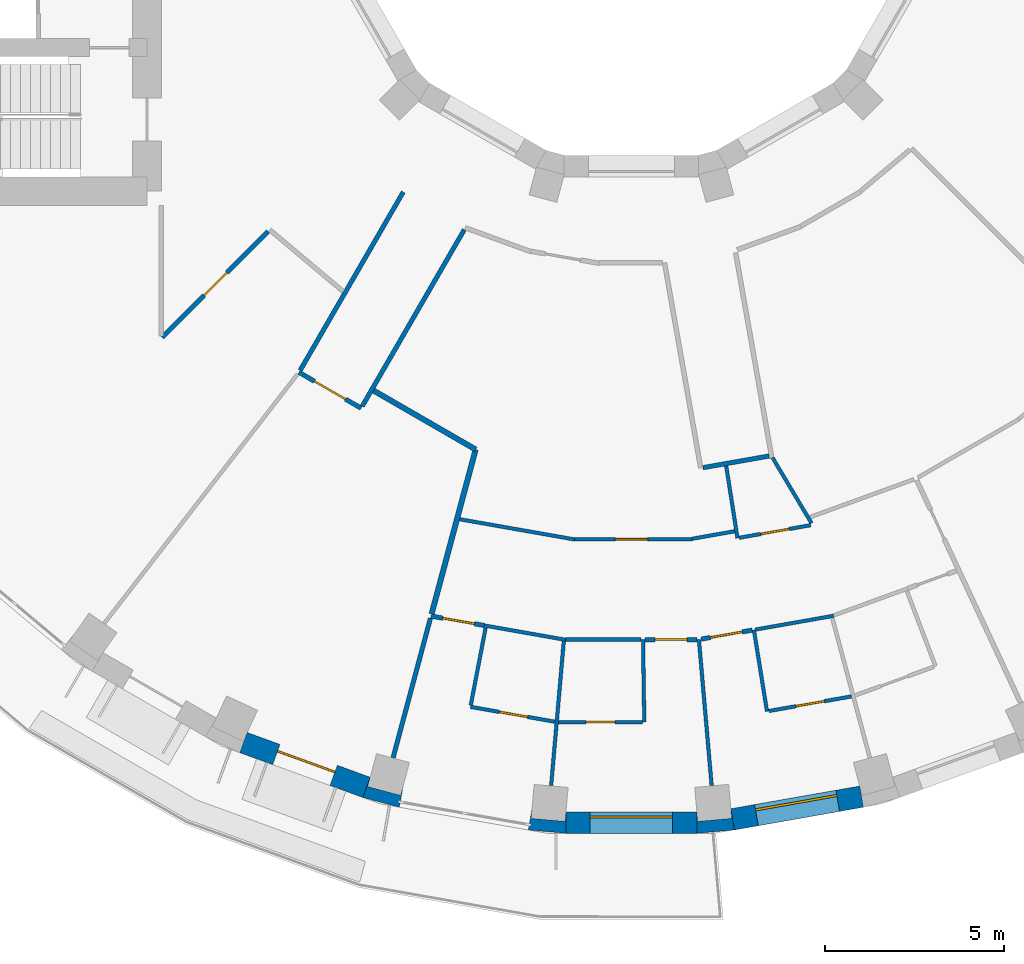
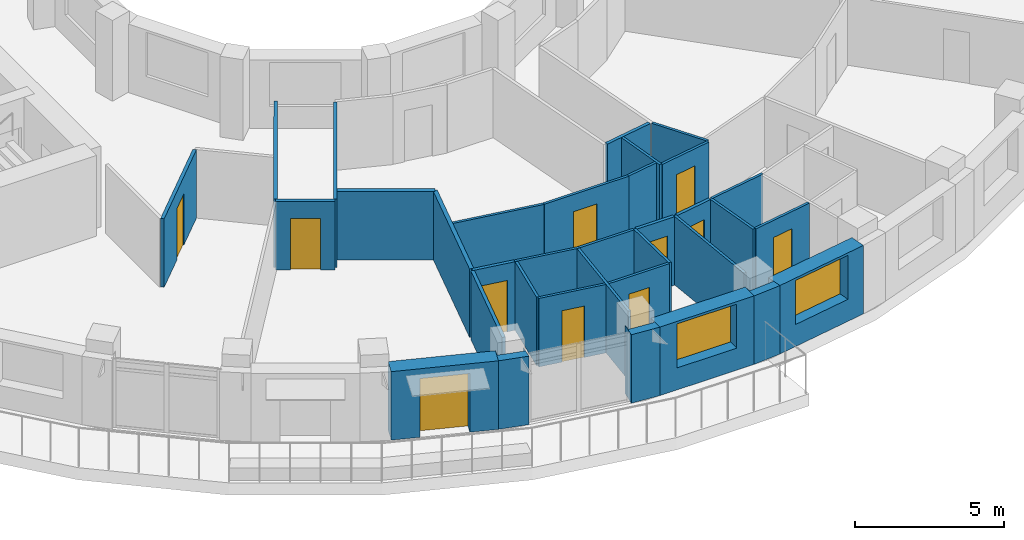
# One storey, part 4 of 14: 34 walls, 11 doors, 2 windows, 13 openings.
"""IFC4 building model written with IfcOpenShell, lengths in metres."""

from ifc_helpers import new_model, si_unit, direction, frame, frame_2d, origin, place, context, subcontext, project, spatial, polyline, rectangle, outline, extrude, material, layer, layer_set, type_object, element, fill, save


model = new_model("IFC4")

# Units and contexts
model_context = context("Model", 3, precision=1e-05, world=origin(), true_north=direction((0.0, 1.0)))
body_context = subcontext(model_context, "Body", "Model", "MODEL_VIEW")
ifc_project = project(units=[si_unit("LENGTHUNIT", "METRE"), si_unit("AREAUNIT", "SQUARE_METRE"), si_unit("VOLUMEUNIT", "CUBIC_METRE"), si_unit("PLANEANGLEUNIT", "RADIAN"), si_unit("MASSUNIT", "GRAM", prefix="KILO")], contexts=[model_context])

# Site, building, storey
site_placement = place(None, origin())
site = spatial("IfcSite", under=ifc_project, at=site_placement, CompositionType="ELEMENT")
building_placement = place(site_placement, origin())
building = spatial("IfcBuilding", under=site, at=building_placement, Name="Saqina Gate Tower", CompositionType="ELEMENT")
storey_placement = place(building_placement, frame((0.0, 0.0, 134.800048828125)))
storey = spatial("IfcBuildingStorey", under=building, at=storey_placement, Name="L38", CompositionType="ELEMENT", Elevation=134.800048828125)

# Walls
ifc_material_1 = material(Name="Brick masonry (buff)", Category="masonry")
wall_type_1 = type_object("IfcWallType", Name="BRICK PIER COPING BUFF", PredefinedType="SOLIDWALL", material=ifc_material_1)
wall_1_placement = place(storey_placement, origin())
element("IfcWall", 1, at=wall_1_placement, inside=storey, type_object=wall_type_1, Name="Pier cap L38 column 26", PredefinedType="SOLIDWALL", context=body_context, shape_type="SweptSolid", body=[
    extrude(outline(polyline([(-7.485595703125, -25.89892578125), (-6.466796875, -26.171875), (-6.36279296875, -25.5810546875), (-6.43212890625, -25.8408203125), (-7.349853515625, -25.5947265625), (-7.2802734375, -25.335205078125), (-7.485595703125, -25.89892578125)])), origin(), (0.0, 0.0, 1.0), 2.800048828125),
])
wall_2_placement = place(storey_placement, origin())
element("IfcWall", 2, at=wall_2_placement, inside=storey, type_object=wall_type_1, Name="Pier cap L38 column 27", PredefinedType="SOLIDWALL", context=body_context, shape_type="SweptSolid", body=[
    extrude(outline(polyline([(-2.87451171875, -26.805419921875), (-1.823974609375, -26.897216796875), (-1.823974609375, -26.29736328125), (-1.847412109375, -26.565185546875), (-2.793701171875, -26.482421875), (-2.770263671875, -26.214599609375), (-2.87451171875, -26.805419921875)])), origin(), (0.0, 0.0, 1.0), 2.800048828125),
])
wall_3_placement = place(storey_placement, origin())
element("IfcWall", 3, at=wall_3_placement, inside=storey, type_object=wall_type_1, Name="Pier cap L38 column 28", PredefinedType="SOLIDWALL", context=body_context, shape_type="SweptSolid", body=[
    extrude(outline(polyline([(2.87451171875, -26.805419921875), (2.770263671875, -26.214599609375), (2.793701171875, -26.482421875), (1.847412109375, -26.565185546875), (1.823974609375, -26.29736328125), (1.823974609375, -26.897216796875), (2.87451171875, -26.805419921875)])), origin(), (0.0, 0.0, 1.0), 2.800048828125),
])

# Wall, opening, door
ifc_material_2 = material(Name="Brick masonry (buff)", Category="masonry")
ifc_layer_1 = layer(ifc_material_2, 0.60009765625)
ifc_layer_set_1 = layer_set([ifc_layer_1], Name="FW-BRICK-BUFF")
wall_type_2 = type_object("IfcWallType", Name="FW-BRICK-BUFF", PredefinedType="SOLIDWALL", material=ifc_layer_set_1)
wall_4_placement = place(storey_placement, frame((-10.810791015625, -24.369384765625, 0.0), z_axis=(0.0, 0.0, 1.0), x_axis=(0.939703505393, -0.341990236633, 0.0)))
wall_4 = element("IfcWall", 4, at=wall_4_placement, inside=storey, type_object=wall_type_2, Name="Facade wall L38 facet 25", PredefinedType="SOLIDWALL", context=body_context, shape_type="SweptSolid", body=[
    extrude(rectangle(XDim=3.64794921875, YDim=0.60009765625, at=frame_2d((1.823974609375, 0.0))), origin(), (0.0, 0.0, 1.0), 2.800048828125),
])
opening_1_placement = place(wall_4_placement, frame((0.973876953125, 0.0, 0.0)))
opening_1 = element("IfcOpeningElement", 5, at=opening_1_placement, cuts=wall_4, Name="Opening G11-D81", PredefinedType="OPENING", context=body_context, shape_type="SweptSolid", body=[
    extrude(rectangle(XDim=1.699951171875, YDim=2.39990234375, at=frame_2d((0.85009765625, 1.199951171875))), frame((0.0, 0.31201171875, 0.0), z_axis=(0.0, -1.0, 0.0), x_axis=(1.0, 0.0, 0.0)), (0.0, 0.0, 1.0), 0.6240234375),
])
ifc_material_3 = material(Name="Aluminium glazing", Category="aluminium")
door_type_1 = type_object("IfcDoorType", Name="GD-B", OperationType="DOUBLE_DOOR_SINGLE_SWING", PredefinedType="DOOR", material=ifc_material_3)
door_1_placement = place(opening_1_placement, origin())
door_1 = element("IfcDoor", 6, at=door_1_placement, inside=storey, type_object=door_type_1, Name="Terrace door L38 facet 25", OperationType="DOUBLE_DOOR_SINGLE_SWING", OverallHeight=2.39990234375, OverallWidth=1.699951171875, PredefinedType="DOOR", context=body_context, shape_type="SweptSolid", body=[
    extrude(rectangle(XDim=1.699951171875, YDim=2.39990234375, at=frame_2d((0.85009765625, 1.199951171875))), frame((0.0, 0.125, 0.0), z_axis=(0.0, -1.0, 0.0), x_axis=(1.0, 0.0, 0.0)), (0.0, 0.0, 1.0), 0.050048828125),
])
fill(opening_1, door_1)

# Wall, opening, window
wall_5_placement = place(storey_placement, frame((-1.823974609375, -26.59716796875, 0.0), z_axis=(0.0, 0.0, 1.0), x_axis=(1.0, 0.0, 0.0)))
wall_5 = element("IfcWall", 7, at=wall_5_placement, inside=storey, type_object=wall_type_2, Name="Facade wall L38 facet 27", PredefinedType="SOLIDWALL", context=body_context, shape_type="SweptSolid", body=[
    extrude(rectangle(XDim=3.64794921875, YDim=0.60009765625, at=frame_2d((1.823974609375, 0.0))), origin(), (0.0, 0.0, 1.0), 2.800048828125),
])
opening_2_placement = place(wall_5_placement, frame((0.673828125, 0.0, 0.89990234375)))
opening_2 = element("IfcOpeningElement", 8, at=opening_2_placement, cuts=wall_5, Name="Opening G11-W16", PredefinedType="OPENING", context=body_context, shape_type="SweptSolid", body=[
    extrude(rectangle(XDim=2.300048828125, YDim=1.800048828125, at=frame_2d((1.14990234375, 0.89990234375))), frame((0.0, 0.31201171875, 0.0), z_axis=(0.0, -1.0, 0.0), x_axis=(1.0, 0.0, 0.0)), (0.0, 0.0, 1.0), 0.6240234375),
])
ifc_material_4 = material(Name="Aluminium glazing", Category="aluminium")
window_type = type_object("IfcWindowType", Name="WN-B", PartitioningType="SINGLE_PANEL", PredefinedType="WINDOW", material=ifc_material_4)
window_1_placement = place(opening_2_placement, origin())
window_1 = element("IfcWindow", 9, at=window_1_placement, inside=storey, type_object=window_type, Name="Window L38 facet 27", OverallHeight=1.800048828125, OverallWidth=2.300048828125, PartitioningType="SINGLE_PANEL", PredefinedType="WINDOW", context=body_context, shape_type="SweptSolid", body=[
    extrude(rectangle(XDim=2.300048828125, YDim=1.800048828125, at=frame_2d((1.14990234375, 0.89990234375))), frame((0.0, 0.179931640625, 0.0), z_axis=(0.0, -1.0, 0.0), x_axis=(1.0, 0.0, 0.0)), (0.0, 0.0, 1.0), 0.06005859375),
])
fill(opening_2, window_1)

wall_6_placement = place(storey_placement, frame((2.822265625, -26.510009765625, 0.0), z_axis=(0.0, 0.0, 1.0), x_axis=(0.984803764455, 0.173670796382, 0.0)))
wall_6 = element("IfcWall", 10, at=wall_6_placement, inside=storey, type_object=wall_type_2, Name="Facade wall L38 facet 28", PredefinedType="SOLIDWALL", context=body_context, shape_type="SweptSolid", body=[
    extrude(rectangle(XDim=3.64794921875, YDim=0.60009765625, at=frame_2d((1.823974609375, 0.0))), origin(), (0.0, 0.0, 1.0), 2.800048828125),
])
opening_3_placement = place(wall_6_placement, frame((0.673828125, 0.0, 0.89990234375)))
opening_3 = element("IfcOpeningElement", 11, at=opening_3_placement, cuts=wall_6, Name="Opening G11-W17", PredefinedType="OPENING", context=body_context, shape_type="SweptSolid", body=[
    extrude(rectangle(XDim=2.300048828125, YDim=1.800048828125, at=frame_2d((1.14990234375, 0.89990234375))), frame((0.0, 0.31201171875, 0.0), z_axis=(0.0, -1.0, 0.0), x_axis=(1.0, 0.0, 0.0)), (0.0, 0.0, 1.0), 0.6240234375),
])
window_2_placement = place(opening_3_placement, origin())
window_2 = element("IfcWindow", 12, at=window_2_placement, inside=storey, type_object=window_type, Name="Window L38 facet 28", OverallHeight=1.800048828125, OverallWidth=2.300048828125, PartitioningType="SINGLE_PANEL", PredefinedType="WINDOW", context=body_context, shape_type="SweptSolid", body=[
    extrude(rectangle(XDim=2.300048828125, YDim=1.800048828125, at=frame_2d((1.14990234375, 0.89990234375))), frame((0.0, 0.179931640625, 0.0), z_axis=(0.0, -1.0, 0.0), x_axis=(1.0, 0.0, 0.0)), (0.0, 0.0, 1.0), 0.06005859375),
])
fill(opening_3, window_2)

# Walls
ifc_material_5 = material(Name="Gypsum board on steel studs, 100 mm", Category="steel")
ifc_layer_2 = layer(ifc_material_5, 0.10009765625)
ifc_layer_set_2 = layer_set([ifc_layer_2], Name="PARTITION 100")
wall_type_3 = type_object("IfcWallType", Name="PARTITION 100", PredefinedType="PARTITIONING", material=ifc_layer_set_2)
wall_7_placement = place(storey_placement, frame((0.323974609375, -21.4970703125, 0.0), z_axis=(0.0, 0.0, 1.0), x_axis=(0.015177107463, -0.999884821071, 0.0)))
element("IfcWall", 13, at=wall_7_placement, inside=storey, type_object=wall_type_3, Name="PARTITION PW3-01", PredefinedType="PARTITIONING", context=body_context, shape_type="SweptSolid", body=[
    extrude(rectangle(XDim=2.30029296875, YDim=0.10009765625, at=frame_2d((1.150146484375, 0.0))), origin(), (0.0, 0.0, 1.0), 2.800048828125),
])
wall_8_placement = place(storey_placement, frame((1.881103515625, -21.4970703125, 0.0), z_axis=(0.0, 0.0, 1.0), x_axis=(0.087060211484, -0.996203051379, 0.0)))
element("IfcWall", 14, at=wall_8_placement, inside=storey, type_object=wall_type_3, Name="PARTITION PW3-03", PredefinedType="PARTITIONING", context=body_context, shape_type="SweptSolid", body=[
    extrude(rectangle(XDim=4.0859375, YDim=0.10009765625, at=frame_2d((2.04296875, 0.0))), origin(), (0.0, 0.0, 1.0), 2.800048828125),
])
wall_9_placement = place(storey_placement, frame((2.641845703125, -16.656494140625, 0.0), z_axis=(0.0, 0.0, 1.0), x_axis=(0.154658266248, -0.987968026143, 0.0)))
element("IfcWall", 15, at=wall_9_placement, inside=storey, type_object=wall_type_3, Name="PARTITION PW3-04", PredefinedType="PARTITIONING", context=body_context, shape_type="SweptSolid", body=[
    extrude(rectangle(XDim=2.037841796875, YDim=0.10009765625, at=frame_2d((1.01904296875, 0.0))), origin(), (0.0, 0.0, 1.0), 2.800048828125),
])
wall_10_placement = place(storey_placement, frame((3.4140625, -21.22705078125, 0.0), z_axis=(0.0, 0.0, 1.0), x_axis=(0.15868179071, -0.987329777378, 0.0)))
element("IfcWall", 16, at=wall_10_placement, inside=storey, type_object=wall_type_3, Name="PARTITION PW3-05", PredefinedType="PARTITIONING", context=body_context, shape_type="SweptSolid", body=[
    extrude(rectangle(XDim=2.300048828125, YDim=0.10009765625, at=frame_2d((1.14990234375, 0.0))), origin(), (0.0, 0.0, 1.0), 2.800048828125),
])
wall_11_placement = place(storey_placement, frame((3.931884765625, -16.42578125, 0.0), z_axis=(0.0, 0.0, 1.0), x_axis=(0.511292595627, -0.859406703288, 0.0)))
element("IfcWall", 17, at=wall_11_placement, inside=storey, type_object=wall_type_3, Name="PARTITION PW3-16", PredefinedType="PARTITIONING", context=body_context, shape_type="SweptSolid", body=[
    extrude(rectangle(XDim=2.132080078125, YDim=0.10009765625, at=frame_2d((1.06591796875, 0.0))), origin(), (0.0, 0.0, 1.0), 2.800048828125),
])

# Wall, opening, door
wall_12_placement = place(storey_placement, frame((-4.486083984375, -23.373046875, 0.0), z_axis=(0.0, 0.0, 1.0), x_axis=(0.984802055472, -0.173680486922, 0.0)))
wall_12 = element("IfcWall", 18, at=wall_12_placement, inside=storey, type_object=wall_type_3, Name="PARTITION PW3-32", PredefinedType="PARTITIONING", context=body_context, shape_type="SweptSolid", body=[
    extrude(rectangle(XDim=2.39111328125, YDim=0.10009765625, at=frame_2d((1.195556640625, 0.0))), origin(), (0.0, 0.0, 1.0), 2.800048828125),
])
opening_4_placement = place(wall_12_placement, frame((0.820556640625, 0.0, 0.0)))
opening_4 = element("IfcOpeningElement", 19, at=opening_4_placement, cuts=wall_12, Name="Opening G11-D31", PredefinedType="OPENING", context=body_context, shape_type="SweptSolid", body=[
    extrude(rectangle(XDim=0.800048828125, YDim=2.10009765625, at=frame_2d((0.39990234375, 1.050048828125))), frame((0.0, 0.06201171875, 0.0), z_axis=(0.0, -1.0, 0.0), x_axis=(1.0, 0.0, 0.0)), (0.0, 0.0, 1.0), 0.1240234375),
])
ifc_material_6 = material(Name="Timber door leaf, 800 mm", Category="wood")
door_type_2 = type_object("IfcDoorType", Name="DOOR 800 TIMBER", OperationType="SINGLE_SWING_LEFT", PredefinedType="DOOR", material=ifc_material_6)
door_2_placement = place(opening_4_placement, frame((0.800048828125, 0.0, 0.0), z_axis=(0.0, 0.0, 1.0), x_axis=(-1.0, 0.0, 0.0)))
door_2 = element("IfcDoor", 20, at=door_2_placement, inside=storey, type_object=door_type_2, Name="DOOR G11-D31", OperationType="SINGLE_SWING_LEFT", OverallHeight=2.10009765625, OverallWidth=0.800048828125, PredefinedType="DOOR", context=body_context, shape_type="SweptSolid", body=[
    extrude(rectangle(XDim=0.800048828125, YDim=2.10009765625, at=frame_2d((0.39990234375, 1.050048828125))), frame((0.0, 0.02490234375, 0.0), z_axis=(0.0, -1.0, 0.0), x_axis=(1.0, 0.0, 0.0)), (0.0, 0.0, 1.0), 0.050048828125),
])
fill(opening_4, door_2)

# Walls
wall_13_placement = place(storey_placement, frame((-4.101318359375, -21.105224609375, 0.0), z_axis=(0.0, 0.0, 1.0), x_axis=(0.984783558818, -0.173785333909, 0.0)))
element("IfcWall", 21, at=wall_13_placement, inside=storey, type_object=wall_type_3, Name="PARTITION PW3-33", PredefinedType="PARTITIONING", context=body_context, shape_type="SweptSolid", body=[
    extrude(rectangle(XDim=2.305419921875, YDim=0.10009765625, at=frame_2d((1.15283203125, 0.0))), origin(), (0.0, 0.0, 1.0), 2.800048828125),
])
wall_14_placement = place(storey_placement, frame((-4.7841796875, -18.14404296875, 0.0), z_axis=(0.0, 0.0, 1.0), x_axis=(0.98481910853, -0.173583765007, 0.0)))
element("IfcWall", 22, at=wall_14_placement, inside=storey, type_object=wall_type_3, Name="PARTITION PW3-34", PredefinedType="PARTITIONING", context=body_context, shape_type="SweptSolid", body=[
    extrude(rectangle(XDim=3.24755859375, YDim=0.10009765625, at=frame_2d((1.623779296875, 0.0))), origin(), (0.0, 0.0, 1.0), 2.800048828125),
])

# Wall, opening, door
wall_15_placement = place(storey_placement, frame((-2.031982421875, -23.797119140625, 0.0), z_axis=(0.0, 0.0, 1.0), x_axis=(1.0, 0.0, 0.0)))
wall_15 = element("IfcWall", 23, at=wall_15_placement, inside=storey, type_object=wall_type_3, Name="PARTITION PW3-38", PredefinedType="PARTITIONING", context=body_context, shape_type="SweptSolid", body=[
    extrude(rectangle(XDim=2.341064453125, YDim=0.10009765625, at=frame_2d((1.17041015625, 0.0))), origin(), (0.0, 0.0, 1.0), 2.800048828125),
])
opening_5_placement = place(wall_15_placement, frame((0.7705078125, 0.0, 0.0)))
opening_5 = element("IfcOpeningElement", 24, at=opening_5_placement, cuts=wall_15, Name="Opening G11-D32", PredefinedType="OPENING", context=body_context, shape_type="SweptSolid", body=[
    extrude(rectangle(XDim=0.800048828125, YDim=2.10009765625, at=frame_2d((0.39990234375, 1.050048828125))), frame((0.0, 0.06201171875, 0.0), z_axis=(0.0, -1.0, 0.0), x_axis=(1.0, 0.0, 0.0)), (0.0, 0.0, 1.0), 0.1240234375),
])
door_3_placement = place(opening_5_placement, frame((0.800048828125, 0.0, 0.0), z_axis=(0.0, 0.0, 1.0), x_axis=(-1.0, 0.0, 0.0)))
door_3 = element("IfcDoor", 25, at=door_3_placement, inside=storey, type_object=door_type_2, Name="DOOR G11-D32", OperationType="SINGLE_SWING_RIGHT", OverallHeight=2.10009765625, OverallWidth=0.800048828125, PredefinedType="DOOR", context=body_context, shape_type="SweptSolid", body=[
    extrude(rectangle(XDim=0.800048828125, YDim=2.10009765625, at=frame_2d((0.39990234375, 1.050048828125))), frame((0.0, 0.02490234375, 0.0), z_axis=(0.0, -1.0, 0.0), x_axis=(1.0, 0.0, 0.0)), (0.0, 0.0, 1.0), 0.050048828125),
])
fill(opening_5, door_3)

# Wall
wall_16_placement = place(storey_placement, frame((-1.8310546875, -21.4970703125, 0.0), z_axis=(0.0, 0.0, 1.0), x_axis=(1.0, 0.0, 0.0)))
element("IfcWall", 26, at=wall_16_placement, inside=storey, type_object=wall_type_3, Name="PARTITION PW3-39", PredefinedType="PARTITIONING", context=body_context, shape_type="SweptSolid", body=[
    extrude(rectangle(XDim=2.10498046875, YDim=0.10009765625, at=frame_2d((1.052490234375, 0.0))), origin(), (0.0, 0.0, 1.0), 2.800048828125),
])

# Wall, opening, door
wall_17_placement = place(storey_placement, frame((-1.5859375, -18.698974609375, 0.0), z_axis=(0.0, 0.0, 1.0), x_axis=(1.0, 0.0, 0.0)))
wall_17 = element("IfcWall", 27, at=wall_17_placement, inside=storey, type_object=wall_type_3, Name="PARTITION PW3-40", PredefinedType="PARTITIONING", context=body_context, shape_type="SweptSolid", body=[
    extrude(rectangle(XDim=3.272705078125, YDim=0.10009765625, at=frame_2d((1.63623046875, 0.0))), origin(), (0.0, 0.0, 1.0), 2.800048828125),
])
opening_6_placement = place(wall_17_placement, frame((1.135986328125, 0.0, 0.0)))
opening_6 = element("IfcOpeningElement", 28, at=opening_6_placement, cuts=wall_17, Name="Opening G11-D33", PredefinedType="OPENING", context=body_context, shape_type="SweptSolid", body=[
    extrude(rectangle(XDim=0.89990234375, YDim=2.10009765625, at=frame_2d((0.449951171875, 1.050048828125))), frame((0.0, 0.06201171875, 0.0), z_axis=(0.0, -1.0, 0.0), x_axis=(1.0, 0.0, 0.0)), (0.0, 0.0, 1.0), 0.1240234375),
])
ifc_material_7 = material(Name="Timber door leaf, 900 mm", Category="wood")
door_type_3 = type_object("IfcDoorType", Name="DOOR 900 TIMBER", OperationType="SINGLE_SWING_LEFT", PredefinedType="DOOR", material=ifc_material_7)
door_4_placement = place(opening_6_placement, origin())
door_4 = element("IfcDoor", 29, at=door_4_placement, inside=storey, type_object=door_type_3, Name="DOOR G11-D33", OperationType="SINGLE_SWING_LEFT", OverallHeight=2.10009765625, OverallWidth=0.89990234375, PredefinedType="DOOR", context=body_context, shape_type="SweptSolid", body=[
    extrude(rectangle(XDim=0.89990234375, YDim=2.10009765625, at=frame_2d((0.449951171875, 1.050048828125))), frame((0.0, 0.02490234375, 0.0), z_axis=(0.0, -1.0, 0.0), x_axis=(1.0, 0.0, 0.0)), (0.0, 0.0, 1.0), 0.050048828125),
])
fill(opening_6, door_4)

wall_18_placement = place(storey_placement, frame((3.828125, -23.4892578125, 0.0), z_axis=(0.0, 0.0, 1.0), x_axis=(0.984811890041, 0.173624713778, 0.0)))
wall_18 = element("IfcWall", 30, at=wall_18_placement, inside=storey, type_object=wall_type_3, Name="PARTITION PW3-44", PredefinedType="PARTITIONING", context=body_context, shape_type="SweptSolid", body=[
    extrude(rectangle(XDim=2.34130859375, YDim=0.10009765625, at=frame_2d((1.170654296875, 0.0))), origin(), (0.0, 0.0, 1.0), 2.800048828125),
])
opening_7_placement = place(wall_18_placement, frame((0.7705078125, 0.0, 0.0)))
opening_7 = element("IfcOpeningElement", 31, at=opening_7_placement, cuts=wall_18, Name="Opening G11-D36", PredefinedType="OPENING", context=body_context, shape_type="SweptSolid", body=[
    extrude(rectangle(XDim=0.800048828125, YDim=2.10009765625, at=frame_2d((0.39990234375, 1.050048828125))), frame((0.0, 0.06201171875, 0.0), z_axis=(0.0, -1.0, 0.0), x_axis=(1.0, 0.0, 0.0)), (0.0, 0.0, 1.0), 0.1240234375),
])
door_5_placement = place(opening_7_placement, frame((0.800048828125, 0.0, 0.0), z_axis=(0.0, 0.0, 1.0), x_axis=(-1.0, 0.0, 0.0)))
door_5 = element("IfcDoor", 32, at=door_5_placement, inside=storey, type_object=door_type_2, Name="DOOR G11-D36", OperationType="SINGLE_SWING_LEFT", OverallHeight=2.10009765625, OverallWidth=0.800048828125, PredefinedType="DOOR", context=body_context, shape_type="SweptSolid", body=[
    extrude(rectangle(XDim=0.800048828125, YDim=2.10009765625, at=frame_2d((0.39990234375, 1.050048828125))), frame((0.0, 0.02490234375, 0.0), z_axis=(0.0, -1.0, 0.0), x_axis=(1.0, 0.0, 0.0)), (0.0, 0.0, 1.0), 0.050048828125),
])
fill(opening_7, door_5)

# Wall
wall_19_placement = place(storey_placement, frame((3.4462890625, -21.221435546875, 0.0), z_axis=(0.0, 0.0, 1.0), x_axis=(0.984789083278, 0.173754025728, 0.0)))
element("IfcWall", 33, at=wall_19_placement, inside=storey, type_object=wall_type_3, Name="PARTITION PW3-45", PredefinedType="PARTITIONING", context=body_context, shape_type="SweptSolid", body=[
    extrude(rectangle(XDim=2.224365234375, YDim=0.10009765625, at=frame_2d((1.1123046875, 0.0))), origin(), (0.0, 0.0, 1.0), 2.800048828125),
])

# Wall, opening, door
wall_20_placement = place(storey_placement, frame((3.00732421875, -18.6611328125, 0.0), z_axis=(0.0, 0.0, 1.0), x_axis=(0.984806648716, 0.173654440325, 0.0)))
wall_20 = element("IfcWall", 34, at=wall_20_placement, inside=storey, type_object=wall_type_3, Name="PARTITION PW3-46", PredefinedType="PARTITIONING", context=body_context, shape_type="SweptSolid", body=[
    extrude(rectangle(XDim=2.021728515625, YDim=0.10009765625, at=frame_2d((1.0107421875, 0.0))), origin(), (0.0, 0.0, 1.0), 2.800048828125),
])
opening_8_placement = place(wall_20_placement, frame((0.611572265625, 0.0, 0.0)))
opening_8 = element("IfcOpeningElement", 35, at=opening_8_placement, cuts=wall_20, Name="Opening G11-D37", PredefinedType="OPENING", context=body_context, shape_type="SweptSolid", body=[
    extrude(rectangle(XDim=0.800048828125, YDim=2.10009765625, at=frame_2d((0.39990234375, 1.050048828125))), frame((0.0, 0.06201171875, 0.0), z_axis=(0.0, -1.0, 0.0), x_axis=(1.0, 0.0, 0.0)), (0.0, 0.0, 1.0), 0.1240234375),
])
door_6_placement = place(opening_8_placement, frame((0.800048828125, 0.0, 0.0), z_axis=(0.0, 0.0, 1.0), x_axis=(-1.0, 0.0, 0.0)))
door_6 = element("IfcDoor", 36, at=door_6_placement, inside=storey, type_object=door_type_2, Name="DOOR G11-D37", OperationType="SINGLE_SWING_LEFT", OverallHeight=2.10009765625, OverallWidth=0.800048828125, PredefinedType="DOOR", context=body_context, shape_type="SweptSolid", body=[
    extrude(rectangle(XDim=0.800048828125, YDim=2.10009765625, at=frame_2d((0.39990234375, 1.050048828125))), frame((0.0, 0.02490234375, 0.0), z_axis=(0.0, -1.0, 0.0), x_axis=(1.0, 0.0, 0.0)), (0.0, 0.0, 1.0), 0.050048828125),
])
fill(opening_8, door_6)

# Walls
wall_21_placement = place(storey_placement, frame((1.685302734375, -18.690185546875, 0.0), z_axis=(0.0, 0.0, 1.0), x_axis=(0.984742886049, 0.17401565555, 0.0)))
element("IfcWall", 37, at=wall_21_placement, inside=storey, type_object=wall_type_3, Name="PARTITION PW3-47", PredefinedType="PARTITIONING", context=body_context, shape_type="SweptSolid", body=[
    extrude(rectangle(XDim=1.20947265625, YDim=0.10009765625, at=frame_2d((0.604736328125, 0.0))), origin(), (0.0, 0.0, 1.0), 2.800048828125),
])
wall_22_placement = place(storey_placement, frame((-4.4765625, -23.323974609375, 0.0), z_axis=(0.0, 0.0, 1.0), x_axis=(0.188685986474, 0.982037473067, 0.0)))
element("IfcWall", 38, at=wall_22_placement, inside=storey, type_object=wall_type_3, Name="PARTITION PW3-82", PredefinedType="PARTITIONING", context=body_context, shape_type="SweptSolid", body=[
    extrude(rectangle(XDim=2.18798828125, YDim=0.10009765625, at=frame_2d((1.093994140625, 0.0))), origin(), (0.0, 0.0, 1.0), 2.800048828125),
])
wall_23_placement = place(storey_placement, frame((-2.23681640625, -25.5673828125, 0.0), z_axis=(0.0, 0.0, 1.0), x_axis=(0.087169951933, 0.996193454847, 0.0)))
element("IfcWall", 39, at=wall_23_placement, inside=storey, type_object=wall_type_3, Name="PARTITION PW3-84", PredefinedType="PARTITIONING", context=body_context, shape_type="SweptSolid", body=[
    extrude(rectangle(XDim=4.035888671875, YDim=0.10009765625, at=frame_2d((2.01806640625, 0.0))), origin(), (0.0, 0.0, 1.0), 2.800048828125),
])

# Wall, opening, door
ifc_material_8 = material(Name="Gypsum board on steel studs, 125 mm, fire rated", Category="steel")
ifc_layer_3 = layer(ifc_material_8, 0.125)
ifc_layer_set_3 = layer_set([ifc_layer_3], Name="PARTITION EI 30 125")
wall_type_4 = type_object("IfcWallType", Name="PARTITION EI 30 125", PredefinedType="PARTITIONING", material=ifc_layer_set_3)
wall_24_placement = place(storey_placement, frame((-9.26416015625, -14.050048828125, 0.0), z_axis=(0.0, 0.0, 1.0), x_axis=(0.866008543052, -0.500029202507, 0.0)))
wall_24 = element("IfcWall", 40, at=wall_24_placement, inside=storey, type_object=wall_type_4, Name="PARTITION PW1-10", PredefinedType="PARTITIONING", context=body_context, shape_type="SweptSolid", body=[
    extrude(rectangle(XDim=1.998046875, YDim=0.125, at=frame_2d((0.9990234375, 0.0))), origin(), (0.0, 0.0, 1.0), 2.800048828125),
])
opening_9_placement = place(wall_24_placement, frame((0.497802734375, 0.0, 0.0)))
opening_9 = element("IfcOpeningElement", 41, at=opening_9_placement, cuts=wall_24, Name="Opening G11-D28", PredefinedType="OPENING", context=body_context, shape_type="SweptSolid", body=[
    extrude(rectangle(XDim=1.0, YDim=2.10009765625, at=frame_2d((0.5, 1.050048828125))), frame((0.0, 0.074462890625, 0.0), z_axis=(0.0, -1.0, 0.0), x_axis=(1.0, 0.0, 0.0)), (0.0, 0.0, 1.0), 0.14892578125),
])
ifc_material_9 = material(Name="Fire door leaf EI 30, 1000 mm")
door_type_4 = type_object("IfcDoorType", Name="DOOR 1000 EI 30", OperationType="SINGLE_SWING_LEFT", PredefinedType="DOOR", material=ifc_material_9)
door_7_placement = place(opening_9_placement, origin())
door_7 = element("IfcDoor", 42, at=door_7_placement, inside=storey, type_object=door_type_4, Name="DOOR G11-D28", OperationType="SINGLE_SWING_RIGHT", OverallHeight=2.10009765625, OverallWidth=1.0, PredefinedType="DOOR", context=body_context, shape_type="SweptSolid", body=[
    extrude(rectangle(XDim=1.0, YDim=2.10009765625, at=frame_2d((0.5, 1.050048828125))), frame((0.0, 0.02490234375, 0.0), z_axis=(0.0, -1.0, 0.0), x_axis=(1.0, 0.0, 0.0)), (0.0, 0.0, 1.0), 0.050048828125),
])
fill(opening_9, door_7)

wall_25_placement = place(storey_placement, frame((-5.5849609375, -20.843994140625, 0.0), z_axis=(0.0, 0.0, 1.0), x_axis=(0.984850377204, -0.173406270135, 0.0)))
wall_25 = element("IfcWall", 43, at=wall_25_placement, inside=storey, type_object=wall_type_4, Name="PARTITION PW1-15", PredefinedType="PARTITIONING", context=body_context, shape_type="SweptSolid", body=[
    extrude(rectangle(XDim=1.50634765625, YDim=0.125, at=frame_2d((0.753173828125, 0.0))), origin(), (0.0, 0.0, 1.0), 2.800048828125),
])
opening_10_placement = place(wall_25_placement, frame((0.328369140625, 0.0, 0.0)))
opening_10 = element("IfcOpeningElement", 44, at=opening_10_placement, cuts=wall_25, Name="Opening G11-D29", PredefinedType="OPENING", context=body_context, shape_type="SweptSolid", body=[
    extrude(rectangle(XDim=0.89990234375, YDim=2.10009765625, at=frame_2d((0.449951171875, 1.050048828125))), frame((0.0, 0.074462890625, 0.0), z_axis=(0.0, -1.0, 0.0), x_axis=(1.0, 0.0, 0.0)), (0.0, 0.0, 1.0), 0.14892578125),
])
ifc_material_10 = material(Name="Fire door leaf EI 30, 900 mm")
door_type_5 = type_object("IfcDoorType", Name="DOOR 900 EI 30", OperationType="SINGLE_SWING_LEFT", PredefinedType="DOOR", material=ifc_material_10)
door_8_placement = place(opening_10_placement, origin())
door_8 = element("IfcDoor", 45, at=door_8_placement, inside=storey, type_object=door_type_5, Name="DOOR G11-D29", OperationType="SINGLE_SWING_LEFT", OverallHeight=2.10009765625, OverallWidth=0.89990234375, PredefinedType="DOOR", context=body_context, shape_type="SweptSolid", body=[
    extrude(rectangle(XDim=0.89990234375, YDim=2.10009765625, at=frame_2d((0.449951171875, 1.050048828125))), frame((0.0, 0.02490234375, 0.0), z_axis=(0.0, -1.0, 0.0), x_axis=(1.0, 0.0, 0.0)), (0.0, 0.0, 1.0), 0.050048828125),
])
fill(opening_10, door_8)

wall_26_placement = place(storey_placement, frame((0.3740234375, -21.4970703125, 0.0), z_axis=(0.0, 0.0, 1.0), x_axis=(1.0, 0.0, 0.0)))
wall_26 = element("IfcWall", 46, at=wall_26_placement, inside=storey, type_object=wall_type_4, Name="PARTITION PW1-19", PredefinedType="PARTITIONING", context=body_context, shape_type="SweptSolid", body=[
    extrude(rectangle(XDim=1.45703125, YDim=0.125, at=frame_2d((0.728515625, 0.0))), origin(), (0.0, 0.0, 1.0), 2.800048828125),
])
opening_11_placement = place(wall_26_placement, frame((0.278564453125, 0.0, 0.0)))
opening_11 = element("IfcOpeningElement", 47, at=opening_11_placement, cuts=wall_26, Name="Opening G11-D34", PredefinedType="OPENING", context=body_context, shape_type="SweptSolid", body=[
    extrude(rectangle(XDim=0.89990234375, YDim=2.10009765625, at=frame_2d((0.449951171875, 1.050048828125))), frame((0.0, 0.074462890625, 0.0), z_axis=(0.0, -1.0, 0.0), x_axis=(1.0, 0.0, 0.0)), (0.0, 0.0, 1.0), 0.14892578125),
])
door_9_placement = place(opening_11_placement, origin())
door_9 = element("IfcDoor", 48, at=door_9_placement, inside=storey, type_object=door_type_5, Name="DOOR G11-D34", OperationType="SINGLE_SWING_RIGHT", OverallHeight=2.10009765625, OverallWidth=0.89990234375, PredefinedType="DOOR", context=body_context, shape_type="SweptSolid", body=[
    extrude(rectangle(XDim=0.89990234375, YDim=2.10009765625, at=frame_2d((0.449951171875, 1.050048828125))), frame((0.0, 0.02490234375, 0.0), z_axis=(0.0, -1.0, 0.0), x_axis=(1.0, 0.0, 0.0)), (0.0, 0.0, 1.0), 0.050048828125),
])
fill(opening_11, door_9)

wall_27_placement = place(storey_placement, frame((1.942626953125, -21.486083984375, 0.0), z_axis=(0.0, 0.0, 1.0), x_axis=(0.984839675328, 0.173467039809, 0.0)))
wall_27 = element("IfcWall", 49, at=wall_27_placement, inside=storey, type_object=wall_type_4, Name="PARTITION PW1-23", PredefinedType="PARTITIONING", context=body_context, shape_type="SweptSolid", body=[
    extrude(rectangle(XDim=1.444091796875, YDim=0.125, at=frame_2d((0.72216796875, 0.0))), origin(), (0.0, 0.0, 1.0), 2.800048828125),
])
opening_12_placement = place(wall_27_placement, frame((0.265869140625, 0.0, 0.0)))
opening_12 = element("IfcOpeningElement", 50, at=opening_12_placement, cuts=wall_27, Name="Opening G11-D35", PredefinedType="OPENING", context=body_context, shape_type="SweptSolid", body=[
    extrude(rectangle(XDim=0.89990234375, YDim=2.10009765625, at=frame_2d((0.449951171875, 1.050048828125))), frame((0.0, 0.074462890625, 0.0), z_axis=(0.0, -1.0, 0.0), x_axis=(1.0, 0.0, 0.0)), (0.0, 0.0, 1.0), 0.14892578125),
])
door_10_placement = place(opening_12_placement, origin())
door_10 = element("IfcDoor", 51, at=door_10_placement, inside=storey, type_object=door_type_5, Name="DOOR G11-D35", OperationType="SINGLE_SWING_LEFT", OverallHeight=2.10009765625, OverallWidth=0.89990234375, PredefinedType="DOOR", context=body_context, shape_type="SweptSolid", body=[
    extrude(rectangle(XDim=0.89990234375, YDim=2.10009765625, at=frame_2d((0.449951171875, 1.050048828125))), frame((0.0, 0.02490234375, 0.0), z_axis=(0.0, -1.0, 0.0), x_axis=(1.0, 0.0, 0.0)), (0.0, 0.0, 1.0), 0.050048828125),
])
fill(opening_12, door_10)

# Wall
wall_28_placement = place(storey_placement, frame((1.99462890625, -16.70703125, 0.0), z_axis=(0.0, 0.0, 1.0), x_axis=(0.984821606563, 0.173569591941, 0.0)))
element("IfcWall", 52, at=wall_28_placement, inside=storey, type_object=wall_type_4, Name="PARTITION PW1-24", PredefinedType="PARTITIONING", context=body_context, shape_type="SweptSolid", body=[
    extrude(rectangle(XDim=1.8720703125, YDim=0.125, at=frame_2d((0.93603515625, 0.0))), origin(), (0.0, 0.0, 1.0), 2.800048828125),
])

# Wall, opening, door
wall_29_placement = place(storey_placement, frame((-13.078857421875, -13.078857421875, 0.0), z_axis=(0.0, 0.0, 1.0), x_axis=(0.707106781187, 0.707106781187, 0.0)))
wall_29 = element("IfcWall", 53, at=wall_29_placement, inside=storey, type_object=wall_type_4, Name="PARTITION PW1-37", PredefinedType="PARTITIONING", context=body_context, shape_type="SweptSolid", body=[
    extrude(rectangle(XDim=4.175537109375, YDim=0.125, at=frame_2d((2.087890625, 0.0))), origin(), (0.0, 0.0, 1.0), 2.800048828125),
])
opening_13_placement = place(wall_29_placement, frame((1.654052734375, 0.0, 0.0)))
opening_13 = element("IfcOpeningElement", 54, at=opening_13_placement, cuts=wall_29, Name="Opening G11-D27", PredefinedType="OPENING", context=body_context, shape_type="SweptSolid", body=[
    extrude(rectangle(XDim=0.89990234375, YDim=2.10009765625, at=frame_2d((0.449951171875, 1.050048828125))), frame((0.0, 0.074462890625, 0.0), z_axis=(0.0, -1.0, 0.0), x_axis=(1.0, 0.0, 0.0)), (0.0, 0.0, 1.0), 0.14892578125),
])
door_11_placement = place(opening_13_placement, origin())
door_11 = element("IfcDoor", 55, at=door_11_placement, inside=storey, type_object=door_type_5, Name="DOOR G11-D27", OperationType="SINGLE_SWING_RIGHT", OverallHeight=2.10009765625, OverallWidth=0.89990234375, PredefinedType="DOOR", context=body_context, shape_type="SweptSolid", body=[
    extrude(rectangle(XDim=0.89990234375, YDim=2.10009765625, at=frame_2d((0.449951171875, 1.050048828125))), frame((0.0, 0.02490234375, 0.0), z_axis=(0.0, -1.0, 0.0), x_axis=(1.0, 0.0, 0.0)), (0.0, 0.0, 1.0), 0.050048828125),
])
fill(opening_13, door_11)

# Walls
wall_30_placement = place(storey_placement, frame((-7.502685546875, -14.994873046875, 0.0), z_axis=(0.0, 0.0, 1.0), x_axis=(0.500436522094, 0.865773230907, 0.0)))
element("IfcWall", 56, at=wall_30_placement, inside=storey, type_object=wall_type_4, Name="PARTITION PW1-40", PredefinedType="PARTITIONING", context=body_context, shape_type="SweptSolid", body=[
    extrude(rectangle(XDim=5.681640625, YDim=0.125, at=frame_2d((2.8408203125, 0.0))), origin(), (0.0, 0.0, 1.0), 2.800048828125),
])
wall_31_placement = place(storey_placement, frame((-9.23291015625, -13.99609375, 0.0), z_axis=(0.0, 0.0, 1.0), x_axis=(0.500439738106, 0.865771371971, 0.0)))
element("IfcWall", 57, at=wall_31_placement, inside=storey, type_object=wall_type_4, Name="PARTITION PW1-41", PredefinedType="PARTITIONING", context=body_context, shape_type="SweptSolid", body=[
    extrude(rectangle(XDim=5.744384765625, YDim=0.125, at=frame_2d((2.8720703125, 0.0))), origin(), (0.0, 0.0, 1.0), 2.800048828125),
])
wall_32_placement = place(storey_placement, frame((-6.642333984375, -24.79052734375, 0.0), z_axis=(0.0, 0.0, 1.0), x_axis=(0.258806858621, 0.965929091565, 0.0)))
element("IfcWall", 58, at=wall_32_placement, inside=storey, type_object=wall_type_4, Name="PARTITION PW1-44", PredefinedType="PARTITIONING", context=body_context, shape_type="SweptSolid", body=[
    extrude(rectangle(XDim=4.023193359375, YDim=0.125, at=frame_2d((2.01171875, 0.0))), origin(), (0.0, 0.0, 1.0), 2.800048828125),
])
ifc_material_11 = material(Name="Gypsum board on steel studs, 150 mm, fire rated", Category="steel")
ifc_layer_4 = layer(ifc_material_11, 0.14990234375)
ifc_layer_set_4 = layer_set([ifc_layer_4], Name="PARTITION EI 60 150")
wall_type_5 = type_object("IfcWallType", Name="PARTITION EI 60 150", PredefinedType="PARTITIONING", material=ifc_layer_set_4)
wall_33_placement = place(storey_placement, frame((-7.179931640625, -14.561279296875, 0.0), z_axis=(0.0, 0.0, 1.0), x_axis=(0.866071485186, -0.499920176176, 0.0)))
element("IfcWall", 59, at=wall_33_placement, inside=storey, type_object=wall_type_5, Name="PARTITION PW2-01", PredefinedType="PARTITIONING", context=body_context, shape_type="SweptSolid", body=[
    extrude(rectangle(XDim=3.27783203125, YDim=0.14990234375, at=frame_2d((1.638916015625, 0.0))), origin(), (0.0, 0.0, 1.0), 2.800048828125),
])
wall_34_placement = place(storey_placement, frame((-5.56884765625, -20.78369140625, 0.0), z_axis=(0.0, 0.0, 1.0), x_axis=(0.258735228002, 0.965948281116, 0.0)))
element("IfcWall", 60, at=wall_34_placement, inside=storey, type_object=wall_type_5, Name="PARTITION PW2-02", PredefinedType="PARTITIONING", context=body_context, shape_type="SweptSolid", body=[
    extrude(rectangle(XDim=4.745361328125, YDim=0.14990234375, at=frame_2d((2.37255859375, 0.0))), origin(), (0.0, 0.0, 1.0), 2.800048828125),
])

save(model, "model.ifc")
